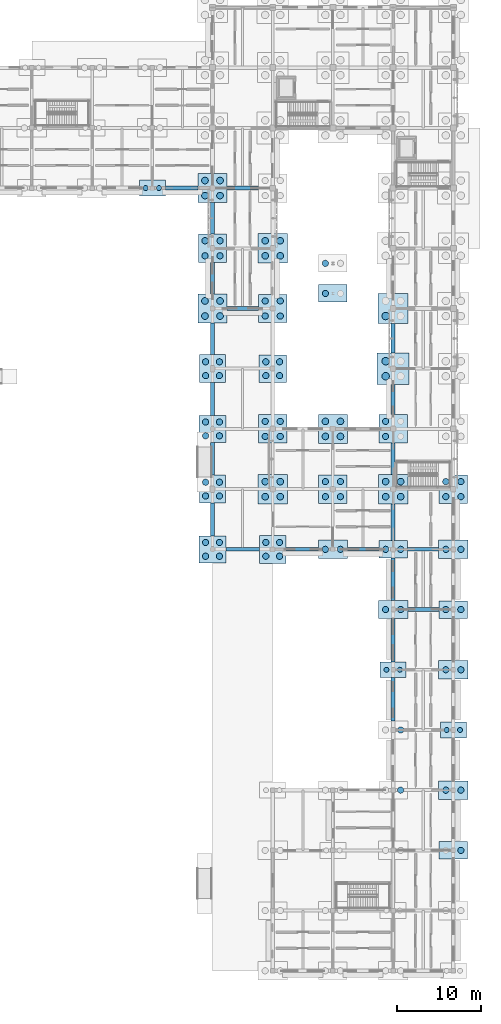
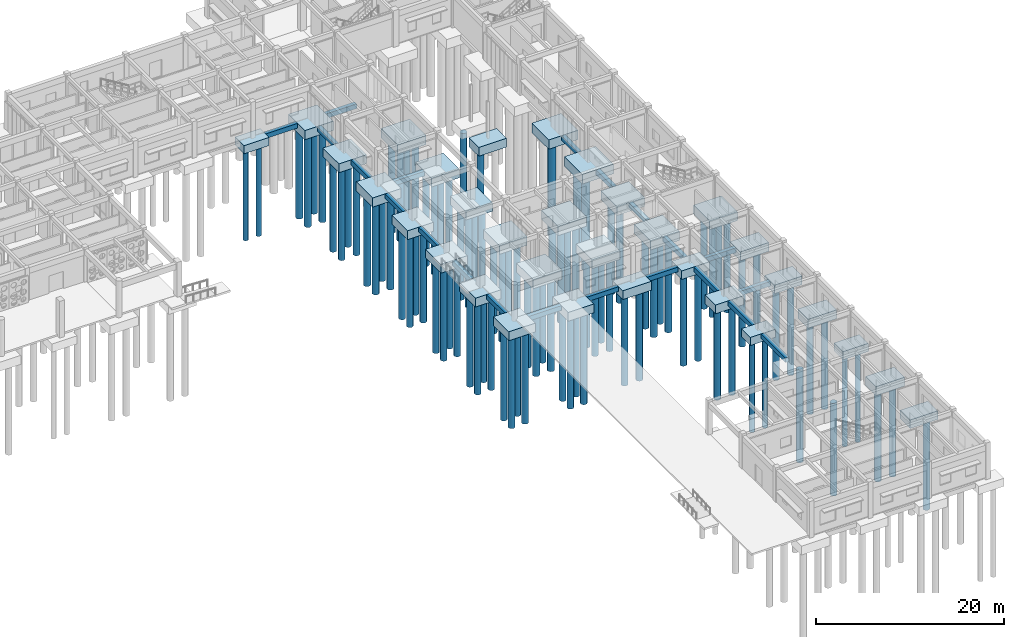
# One storey, part 5 of 111: 98 piles, 53 footings.
"""IFC4 building model written with IfcOpenShell, lengths in metres."""

import ifcopenshell
import ifcopenshell.guid

model = None  # the IFC model being written
_history = None  # IfcOwnerHistory: only IFC2X3 demands one
_inside = {}  # id of a spatial element -> (the spatial element, [elements in it])
_under = {}  # id of a project, library or spatial element -> (it, [spatial elements below it])
_declared = {}  # id of a project -> (the project, [libraries it declares])
_typed = {}  # id of a type object -> (the type object, [elements of that type])
_made_of = {}  # id of a material, layer set ... -> (it, [elements and type objects made of it])


def new_model(schema):
    """Start an empty IFC model of exactly this schema.

    Asked for "IFC4X3", IfcOpenShell would pick the latest addendum, in which some entities
    have other attributes; the version numbers below select the first issue.
    IFC2X3 requires an IfcOwnerHistory on every rooted entity: one is made here for all.
    """
    global model, _history
    if schema == "IFC4X3":
        model = ifcopenshell.file(schema_version=(4, 3, 0, 0))
    else:
        model = ifcopenshell.file(schema=schema)
    _inside.clear()
    _under.clear()
    _declared.clear()
    _typed.clear()
    _made_of.clear()
    _history = None
    if model.schema == "IFC2X3":
        org = make("IfcOrganization", Name="unknown")
        user = make(
            "IfcPersonAndOrganization",
            ThePerson=make("IfcPerson", FamilyName="unknown"),
            TheOrganization=org,
        )
        app = make(
            "IfcApplication",
            ApplicationDeveloper=org,
            Version="unknown",
            ApplicationFullName="unknown",
            ApplicationIdentifier="unknown",
        )
        _history = make(
            "IfcOwnerHistory",
            OwningUser=user,
            OwningApplication=app,
            ChangeAction="ADDED",
            CreationDate=0,
        )
    return model


def make(cls, **values):
    """One entity of the class cls with the attributes given. An attribute that is None is left unset."""
    return model.create_entity(
        cls, **{name: value for name, value in values.items() if value is not None}
    )


def rooted(cls, **values):
    """An entity with a GlobalId (a new one), such as an element, a storey or a relation."""
    return make(cls, GlobalId=ifcopenshell.guid.new(), OwnerHistory=_history, **values)


def si_unit(unit_type, name, prefix=None):
    """IfcSIUnit, for example si_unit("LENGTHUNIT", "METRE", prefix="MILLI")."""
    return make("IfcSIUnit", UnitType=unit_type, Prefix=prefix, Name=name)


def assignment(units):
    """IfcUnitAssignment: the units of a project."""
    return None if units is None else make("IfcUnitAssignment", Units=units)


def point(xyz):
    """IfcCartesianPoint."""
    return None if xyz is None else make("IfcCartesianPoint", Coordinates=xyz)


def direction(xyz):
    """IfcDirection."""
    return None if xyz is None else make("IfcDirection", DirectionRatios=xyz)


def frame(location, z_axis=None, x_axis=None):
    """IfcAxis2Placement3D, a coordinate frame: its origin and axes. An axis left out is left unset."""
    return make(
        "IfcAxis2Placement3D",
        Location=point(location),
        Axis=direction(z_axis),
        RefDirection=direction(x_axis),
    )


def frame_2d(location, x_axis=None):
    """IfcAxis2Placement2D, a coordinate frame in the plane: its origin and x axis."""
    return make(
        "IfcAxis2Placement2D", Location=point(location), RefDirection=direction(x_axis)
    )


def origin():
    """The frame at (0, 0, 0) with its axes left unset."""
    return frame((0.0, 0.0, 0.0))


def origin_2d():
    """The frame at (0, 0) in the plane with its x axis left unset."""
    return frame_2d((0.0, 0.0))


def place(relative_to, where):
    """IfcLocalPlacement: puts the frame where relative to a parent placement (None: the world)."""
    return make(
        "IfcLocalPlacement", PlacementRelTo=relative_to, RelativePlacement=where
    )


def context(
    kind, dimensions, precision=None, world=None, true_north=None, identifier=None
):
    """IfcGeometricRepresentationContext, for example the 3D "Model" context."""
    return make(
        "IfcGeometricRepresentationContext",
        ContextIdentifier=identifier,
        ContextType=kind,
        CoordinateSpaceDimension=dimensions,
        Precision=precision,
        WorldCoordinateSystem=world,
        TrueNorth=true_north,
    )


def subcontext(parent, identifier, kind, view, scale=None):
    """IfcGeometricRepresentationSubContext, for example "Body" below "Model"."""
    return make(
        "IfcGeometricRepresentationSubContext",
        ContextIdentifier=identifier,
        ContextType=kind,
        ParentContext=parent,
        TargetScale=scale,
        TargetView=view,
    )


def project(units=None, contexts=None):
    """IfcProject with its units and contexts."""
    return rooted(
        "IfcProject",
        Name="project",
        RepresentationContexts=contexts,
        UnitsInContext=assignment(units),
    )


def spatial(cls, under=None, at=None, **own):
    """A site, building, storey or space (cls), placed at a placement, below another one or the project."""
    s = rooted(cls, ObjectPlacement=at, **own)
    if under is not None:
        _under.setdefault(under.id(), (under, []))[1].append(s)
    return s


def profile(cls, at=None, kind="AREA", **sizes):
    """A parametric profile (cls). Its sizes go by their IFC names, for example OverallWidth=200.0."""
    return make(cls, ProfileType=kind, Position=at, **sizes)


def rectangle(**sizes):
    """IfcRectangleProfileDef."""
    return profile("IfcRectangleProfileDef", **sizes)


def circle(**sizes):
    """IfcCircleProfileDef."""
    return profile("IfcCircleProfileDef", **sizes)


def extrude(swept, where, along, depth):
    """IfcExtrudedAreaSolid: the profile swept, set in the frame where, extruded along a direction by depth."""
    return make(
        "IfcExtrudedAreaSolid",
        SweptArea=swept,
        Position=where,
        ExtrudedDirection=direction(along),
        Depth=depth,
    )


def shape(context_of_items, identifier, shape_type, items):
    """IfcShapeRepresentation: the items that make up one representation, for example the "Body"."""
    return make(
        "IfcShapeRepresentation",
        ContextOfItems=context_of_items,
        RepresentationIdentifier=identifier,
        RepresentationType=shape_type,
        Items=items,
    )


def material(Name=None, Category=None):
    """IfcMaterial."""
    return make("IfcMaterial", Name=Name, Category=Category)


def layer(
    of_material, thickness, ventilated=None, Name=None, Category=None, Priority=None
):
    """IfcMaterialLayer: one layer of a wall or slab, of a material (None: an air gap)."""
    return make(
        "IfcMaterialLayer",
        Material=of_material,
        LayerThickness=thickness,
        IsVentilated=ventilated,
        Name=Name,
        Category=Category,
        Priority=Priority,
    )


def layer_set(layers, Name=None):
    """IfcMaterialLayerSet."""
    return make("IfcMaterialLayerSet", MaterialLayers=layers, LayerSetName=Name)


def material_profile(
    of_material, cross_section, Name=None, Category=None, Priority=None
):
    """IfcMaterialProfile: a cross section and its material."""
    return make(
        "IfcMaterialProfile",
        Name=Name,
        Material=of_material,
        Profile=cross_section,
        Priority=Priority,
        Category=Category,
    )


def profile_set(profiles, Name=None, composite=None):
    """IfcMaterialProfileSet."""
    return make(
        "IfcMaterialProfileSet",
        Name=Name,
        MaterialProfiles=profiles,
        CompositeProfile=composite,
    )


def made_of(thing, what):
    """Note that an element or type object is made of a material, layer set ...; save() writes the relation."""
    if what is not None:
        _made_of.setdefault(what.id(), (what, []))[1].append(thing)
    return thing


def type_object(cls, material=None, **own):
    """A type object (cls), such as IfcWallType, which elements share."""
    return made_of(rooted(cls, **own), material)


def element(
    cls,
    number,
    at=None,
    inside=None,
    cuts=None,
    type_object=None,
    material=None,
    context=None,
    identifier="Body",
    shape_type=None,
    held_by="IfcProductDefinitionShape",
    body=None,
    shapes=None,
    **own,
):
    """One element of the class cls, such as IfcWall. Its Tag is "e" and its number.

    at: its placement. inside: the storey or other place that contains it. cuts: it is an
    opening in that element (IfcRelVoidsElement). A single representation is given by context,
    identifier, shape_type and body (its items); several are given by shapes. held_by: the class
    of the entity that holds the representations. save() writes the other relations.
    """
    e = rooted(cls, Tag="e%d" % number, ObjectPlacement=at, **own)
    if body is not None:
        shapes = [shape(context, identifier, shape_type, body)]
    if shapes is not None:
        e.Representation = make(held_by, Representations=shapes)
    if inside is not None:
        _inside.setdefault(inside.id(), (inside, []))[1].append(e)
    if cuts is not None:
        rooted(
            "IfcRelVoidsElement", RelatingBuildingElement=cuts, RelatedOpeningElement=e
        )
    if type_object is not None:
        _typed.setdefault(type_object.id(), (type_object, []))[1].append(e)
    return made_of(e, material)


def aggregate(whole, parts):
    """IfcRelAggregates: a whole, such as a stair, and the parts it consists of."""
    return rooted("IfcRelAggregates", RelatingObject=whole, RelatedObjects=parts)


def save(model, path):
    """Write the relations noted so far, then the file.

    IfcRelAggregates (storeys below a building ...), IfcRelContainedInSpatialStructure (elements
    in a storey), IfcRelDefinesByType, IfcRelAssociatesMaterial and IfcRelDeclares: one each for
    every whole, place, type object, material and project.
    """
    for whole, parts in _under.values():
        aggregate(whole, parts)
    for where, things in _inside.values():
        rooted(
            "IfcRelContainedInSpatialStructure",
            RelatedElements=things,
            RelatingStructure=where,
        )
    for kind, things in _typed.values():
        rooted("IfcRelDefinesByType", RelatedObjects=things, RelatingType=kind)
    for what, things in _made_of.values():
        rooted("IfcRelAssociatesMaterial", RelatedObjects=things, RelatingMaterial=what)
    for by, libraries in _declared.values():
        rooted("IfcRelDeclares", RelatingContext=by, RelatedDefinitions=libraries)
    model.write(path)


model = new_model("IFC4")

# Units and contexts
model_context = context("Model", 3, precision=1e-05, world=origin(), true_north=direction((0.0, 1.0)))
body_context = subcontext(model_context, "Body", "Model", "MODEL_VIEW")
ifc_project = project(units=[si_unit("LENGTHUNIT", "METRE"), si_unit("AREAUNIT", "SQUARE_METRE"), si_unit("VOLUMEUNIT", "CUBIC_METRE"), si_unit("PLANEANGLEUNIT", "RADIAN"), si_unit("MASSUNIT", "GRAM", prefix="KILO")], contexts=[model_context])

# Site, building, storey
site_placement = place(None, origin())
site = spatial("IfcSite", under=ifc_project, at=site_placement, CompositionType="ELEMENT")
building_placement = place(site_placement, origin())
building = spatial("IfcBuilding", under=site, at=building_placement, Name="Aldebral Square Health Centre", CompositionType="ELEMENT")
storey_placement = place(building_placement, origin())
storey = spatial("IfcBuildingStorey", under=building, at=storey_placement, Name="L00", CompositionType="ELEMENT", Elevation=0.0)

# Footings
ifc_material = material(Name="Concrete C35/45", Category="concrete")
ifc_layer_1 = layer(ifc_material, 1.14990234375, Name="Concrete C35/45", Category="concrete")
ifc_layer_set_1 = layer_set([ifc_layer_1], Name="Concrete C35/45")
footing_type_1 = type_object("IfcFootingType", Name="FT-PC2A", PredefinedType="PILE_CAP", material=ifc_layer_set_1)
for number, where, z_axis, x_axis, name in (
    (1, (151.199951171875, 50.39990234375, -1.39990234375), (0.0, 0.0, 1.0), (1.0, 0.0, 0.0), "Pile cap PC7 at 22/8"),
    (2, (158.39990234375, 43.199951171875, -1.39990234375), (0.0, 0.0, 1.0), (1.0, 0.0, 0.0), "Pile cap PC7 at 23/7"),
    (3, (165.60009765625, 21.60009765625, -1.39990234375), (0.0, 0.0, 1.0), (1.0, 0.0, 0.0), "Pile cap PC7 at 24/4"),
    (4, (165.60009765625, 36.0, -1.39990234375), (0.0, 0.0, 1.0), (1.0, 0.0, 0.0), "Pile cap PC7 at 24/6"),
    (5, (165.60009765625, 50.39990234375, -1.39990234375), (0.0, 0.0, 1.0), (1.0, 0.0, 0.0), "Pile cap PC7 at 24/8"),
):
    element("IfcFooting", number, at=place(storey_placement, frame(where, z_axis=z_axis, x_axis=x_axis)), inside=storey, type_object=footing_type_1, Name=name, PredefinedType="PILE_CAP", context=body_context, shape_type="SweptSolid", body=[
        extrude(rectangle(XDim=3.5, YDim=2.199951171875, at=origin_2d()), origin(), (0.0, 0.0, 1.0), 1.14990234375),
    ])
ifc_layer_2 = layer(ifc_material, 1.10009765625, Name="Concrete C35/45", Category="concrete")
ifc_layer_set_2 = layer_set([ifc_layer_2], Name="Concrete C35/45")
footing_type_2 = type_object("IfcFootingType", Name="FT-PC2B", PredefinedType="PILE_CAP", material=ifc_layer_set_2)
for number, where, z_axis, x_axis, name in (
    (6, (158.39990234375, 50.39990234375, -1.35009765625), (0.0, 0.0, 1.0), (1.0, 0.0, 0.0), "Pile cap PC8 at 23/8"),
    (7, (165.60009765625, 14.39990234375, -1.35009765625), (0.0, 0.0, 1.0), (1.0, 0.0, 0.0), "Pile cap PC8 at 24/3"),
    (8, (165.60009765625, 43.199951171875, -1.35009765625), (0.0, 0.0, 1.0), (1.0, 0.0, 0.0), "Pile cap PC8 at 24/7"),
):
    element("IfcFooting", number, at=place(storey_placement, frame(where, z_axis=z_axis, x_axis=x_axis)), inside=storey, type_object=footing_type_2, Name=name, PredefinedType="PILE_CAP", context=body_context, shape_type="SweptSolid", body=[
        extrude(rectangle(XDim=3.39990234375, YDim=2.10009765625, at=origin_2d()), origin(), (0.0, 0.0, 1.0), 1.10009765625),
    ])
ifc_layer_3 = layer(ifc_material, 1.050048828125, Name="Concrete C35/45", Category="concrete")
ifc_layer_set_3 = layer_set([ifc_layer_3], Name="Concrete C35/45")
footing_type_3 = type_object("IfcFootingType", Name="FT-PC2D", PredefinedType="PILE_CAP", material=ifc_layer_set_3)
for number, where, z_axis, x_axis, name in (
    (9, (129.60009765625, 93.60009765625, -1.2998046875), (0.0, 0.0, 1.0), (1.0, 0.0, 0.0), "Pile cap PC10 at 19/14"),
    (10, (158.39990234375, 36.0, -1.2998046875), (0.0, 0.0, 1.0), (1.0, 0.0, 0.0), "Pile cap PC10 at 23/6"),
    (11, (165.60009765625, 28.800048828125, -1.2998046875), (0.0, 0.0, 1.0), (1.0, 0.0, 0.0), "Pile cap PC10 at 24/5"),
):
    element("IfcFooting", number, at=place(storey_placement, frame(where, z_axis=z_axis, x_axis=x_axis)), inside=storey, type_object=footing_type_3, Name=name, PredefinedType="PILE_CAP", context=body_context, shape_type="SweptSolid", body=[
        extrude(rectangle(XDim=3.10009765625, YDim=1.89990234375, at=origin_2d()), origin(), (0.0, 0.0, 1.0), 1.050048828125),
    ])
ifc_layer_4 = layer(ifc_material, 1.14990234375, Name="Concrete C35/45", Category="concrete")
ifc_layer_set_4 = layer_set([ifc_layer_4], Name="Concrete C35/45")
footing_type_4 = type_object("IfcFootingType", Name="FT-PC2E", PredefinedType="PILE_CAP", material=ifc_layer_set_4)
footing_1_placement = place(storey_placement, frame((151.199951171875, 81.0, -1.425048828125), z_axis=(0.0, 0.0, 1.0), x_axis=(1.0, 0.0, 0.0)))
element("IfcFooting", 12, at=footing_1_placement, inside=storey, type_object=footing_type_4, Name="Bridge pier cap 21-11", PredefinedType="PILE_CAP", context=body_context, shape_type="SweptSolid", body=[
    extrude(rectangle(XDim=3.39990234375, YDim=2.10009765625, at=origin_2d()), origin(), (0.0, 0.0, 1.0), 1.14990234375),
])
ifc_layer_5 = layer(ifc_material, 1.25, Name="Concrete C35/45", Category="concrete")
ifc_layer_set_5 = layer_set([ifc_layer_5], Name="Concrete C35/45")
footing_type_5 = type_object("IfcFootingType", Name="FT-PC4A", PredefinedType="PILE_CAP", material=ifc_layer_set_5)
footing_2_placement = place(storey_placement, frame((158.39990234375, 72.0, -1.5), z_axis=(0.0, 0.0, 1.0), x_axis=(1.0, 0.0, 0.0)))
element("IfcFooting", 13, at=footing_2_placement, inside=storey, type_object=footing_type_5, Name="Pile cap PC1 at 23/11", PredefinedType="PILE_CAP", context=body_context, shape_type="SweptSolid", body=[
    extrude(rectangle(XDim=3.800048828125, YDim=3.800048828125, at=origin_2d()), origin(), (0.0, 0.0, 1.0), 1.25),
])
ifc_layer_6 = layer(ifc_material, 1.199951171875, Name="Concrete C35/45", Category="concrete")
ifc_layer_set_6 = layer_set([ifc_layer_6], Name="Concrete C35/45")
footing_type_6 = type_object("IfcFootingType", Name="FT-PC4B", PredefinedType="PILE_CAP", material=ifc_layer_set_6)
footing_3_placement = place(storey_placement, frame((158.39990234375, 79.199951171875, -1.4501953125), z_axis=(0.0, 0.0, 1.0), x_axis=(1.0, 0.0, 0.0)))
element("IfcFooting", 14, at=footing_3_placement, inside=storey, type_object=footing_type_6, Name="Pile cap PC2 at 23/12", PredefinedType="PILE_CAP", context=body_context, shape_type="SweptSolid", body=[
    extrude(rectangle(XDim=3.60009765625, YDim=3.60009765625, at=origin_2d()), origin(), (0.0, 0.0, 1.0), 1.199951171875),
])
ifc_layer_7 = layer(ifc_material, 1.199951171875, Name="Concrete C35/45", Category="concrete")
ifc_layer_set_7 = layer_set([ifc_layer_7], Name="Concrete C35/45")
footing_type_7 = type_object("IfcFootingType", Name="FT-PC4C", PredefinedType="PILE_CAP", material=ifc_layer_set_7)
for number, where, z_axis, x_axis, name in (
    (15, (136.800048828125, 79.199951171875, -1.4501953125), (0.0, 0.0, 1.0), (1.0, 0.0, 0.0), "Pile cap PC3 at 20/12"),
    (16, (136.800048828125, 93.60009765625, -1.4501953125), (0.0, 0.0, 1.0), (1.0, 0.0, 0.0), "Pile cap PC3 at 20/14"),
    (17, (144.0, 57.60009765625, -1.4501953125), (0.0, 0.0, 1.0), (1.0, 0.0, 0.0), "Pile cap PC3 at 21/9"),
    (18, (144.0, 86.39990234375, -1.4501953125), (0.0, 0.0, 1.0), (1.0, 0.0, 0.0), "Pile cap PC3 at 21/13"),
    (19, (151.199951171875, 64.800048828125, -1.4501953125), (0.0, 0.0, 1.0), (1.0, 0.0, 0.0), "Pile cap PC3 at 22/10"),
    (20, (158.39990234375, 57.60009765625, -1.4501953125), (0.0, 0.0, 1.0), (1.0, 0.0, 0.0), "Pile cap PC3 at 23/9"),
):
    element("IfcFooting", number, at=place(storey_placement, frame(where, z_axis=z_axis, x_axis=x_axis)), inside=storey, type_object=footing_type_7, Name=name, PredefinedType="PILE_CAP", context=body_context, shape_type="SweptSolid", body=[
        extrude(rectangle(XDim=3.5, YDim=3.5, at=origin_2d()), origin(), (0.0, 0.0, 1.0), 1.199951171875),
    ])
ifc_layer_8 = layer(ifc_material, 1.14990234375, Name="Concrete C35/45", Category="concrete")
ifc_layer_set_8 = layer_set([ifc_layer_8], Name="Concrete C35/45")
footing_type_8 = type_object("IfcFootingType", Name="FT-PC4D", PredefinedType="PILE_CAP", material=ifc_layer_set_8)
for number, where, z_axis, x_axis, name in (
    (21, (136.800048828125, 86.39990234375, -1.39990234375), (0.0, 0.0, 1.0), (1.0, 0.0, 0.0), "Pile cap PC4 at 20/13"),
    (22, (144.0, 64.800048828125, -1.39990234375), (0.0, 0.0, 1.0), (1.0, 0.0, 0.0), "Pile cap PC4 at 21/10"),
    (23, (144.0, 79.199951171875, -1.39990234375), (0.0, 0.0, 1.0), (1.0, 0.0, 0.0), "Pile cap PC4 at 21/12"),
    (24, (151.199951171875, 57.60009765625, -1.39990234375), (0.0, 0.0, 1.0), (1.0, 0.0, 0.0), "Pile cap PC4 at 22/9"),
    (25, (158.39990234375, 64.800048828125, -1.39990234375), (0.0, 0.0, 1.0), (1.0, 0.0, 0.0), "Pile cap PC4 at 23/10"),
    (26, (165.60009765625, 57.60009765625, -1.39990234375), (0.0, 0.0, 1.0), (1.0, 0.0, 0.0), "Pile cap PC4 at 24/9"),
):
    element("IfcFooting", number, at=place(storey_placement, frame(where, z_axis=z_axis, x_axis=x_axis)), inside=storey, type_object=footing_type_8, Name=name, PredefinedType="PILE_CAP", context=body_context, shape_type="SweptSolid", body=[
        extrude(rectangle(XDim=3.39990234375, YDim=3.39990234375, at=origin_2d()), origin(), (0.0, 0.0, 1.0), 1.14990234375),
    ])
ifc_layer_9 = layer(ifc_material, 1.14990234375, Name="Concrete C35/45", Category="concrete")
ifc_layer_set_9 = layer_set([ifc_layer_9], Name="Concrete C35/45")
footing_type_9 = type_object("IfcFootingType", Name="FT-PC4E", PredefinedType="PILE_CAP", material=ifc_layer_set_9)
for number, where, z_axis, x_axis, name in (
    (27, (136.800048828125, 50.39990234375, -1.39990234375), (0.0, 0.0, 1.0), (1.0, 0.0, 0.0), "Pile cap PC5 at 20/8"),
    (28, (136.800048828125, 64.800048828125, -1.39990234375), (0.0, 0.0, 1.0), (1.0, 0.0, 0.0), "Pile cap PC5 at 20/10"),
    (29, (144.0, 72.0, -1.39990234375), (0.0, 0.0, 1.0), (1.0, 0.0, 0.0), "Pile cap PC5 at 21/11"),
):
    element("IfcFooting", number, at=place(storey_placement, frame(where, z_axis=z_axis, x_axis=x_axis)), inside=storey, type_object=footing_type_9, Name=name, PredefinedType="PILE_CAP", context=body_context, shape_type="SweptSolid", body=[
        extrude(rectangle(XDim=3.25, YDim=3.25, at=origin_2d()), origin(), (0.0, 0.0, 1.0), 1.14990234375),
    ])
ifc_layer_10 = layer(ifc_material, 1.14990234375, Name="Concrete C35/45", Category="concrete")
ifc_layer_set_10 = layer_set([ifc_layer_10], Name="Concrete C35/45")
footing_type_10 = type_object("IfcFootingType", Name="FT-PC4F", PredefinedType="PILE_CAP", material=ifc_layer_set_10)
for number, where, z_axis, x_axis, name in (
    (30, (136.800048828125, 57.60009765625, -1.39990234375), (0.0, 0.0, 1.0), (1.0, 0.0, 0.0), "Pile cap PC6 at 20/9"),
    (31, (136.800048828125, 72.0, -1.39990234375), (0.0, 0.0, 1.0), (1.0, 0.0, 0.0), "Pile cap PC6 at 20/11"),
    (32, (144.0, 50.39990234375, -1.39990234375), (0.0, 0.0, 1.0), (1.0, 0.0, 0.0), "Pile cap PC6 at 21/8"),
):
    element("IfcFooting", number, at=place(storey_placement, frame(where, z_axis=z_axis, x_axis=x_axis)), inside=storey, type_object=footing_type_10, Name=name, PredefinedType="PILE_CAP", context=body_context, shape_type="SweptSolid", body=[
        extrude(rectangle(XDim=3.14990234375, YDim=3.35009765625, at=origin_2d()), origin(), (0.0, 0.0, 1.0), 1.14990234375),
    ])
ifc_material_profile_1 = material_profile(ifc_material, rectangle(XDim=0.449951171875, YDim=0.60009765625, at=origin_2d()), Name="RC 450x600")
ifc_profile_set_1 = profile_set([ifc_material_profile_1], Name="Concrete C35/45")
footing_type_11 = type_object("IfcFootingType", Name="FT-TB1", PredefinedType="FOOTING_BEAM", material=ifc_profile_set_1)
footing_4_placement = place(storey_placement, frame((131.14990234375, 93.60009765625, -0.550048828125), z_axis=(1.0, 0.0, 0.0), x_axis=(0.0, 1.0, 0.0)))
element("IfcFooting", 33, at=footing_4_placement, inside=storey, type_object=footing_type_11, Name="Ground tie beam X 19-14", PredefinedType="FOOTING_BEAM", context=body_context, shape_type="SweptSolid", body=[
    extrude(rectangle(XDim=0.449951171875, YDim=0.60009765625, at=origin_2d()), origin(), (0.0, 0.0, 1.0), 3.900146484375),
])
footing_5_placement = place(storey_placement, frame((138.425048828125, 50.39990234375, -0.550048828125), z_axis=(1.0, 0.0, 0.0), x_axis=(0.0, 1.0, 0.0)))
element("IfcFooting", 34, at=footing_5_placement, inside=storey, type_object=footing_type_11, Name="Ground tie beam X 20-8", PredefinedType="FOOTING_BEAM", context=body_context, shape_type="SweptSolid", body=[
    extrude(rectangle(XDim=0.449951171875, YDim=0.60009765625, at=origin_2d()), origin(), (0.0, 0.0, 1.0), 4.0),
])
for number, where, z_axis, x_axis, name in (
    (35, (136.800048828125, 52.02490234375, -0.550048828125), (0.0, 1.0, 0.0), (-1.0, 0.0, 0.0), "Ground tie beam Y 20-8"),
    (36, (136.800048828125, 59.27490234375, -0.550048828125), (0.0, 1.0, 0.0), (-1.0, 0.0, 0.0), "Ground tie beam Y 20-9"),
):
    element("IfcFooting", number, at=place(storey_placement, frame(where, z_axis=z_axis, x_axis=x_axis)), inside=storey, type_object=footing_type_11, Name=name, PredefinedType="FOOTING_BEAM", context=body_context, shape_type="SweptSolid", body=[
        extrude(rectangle(XDim=0.449951171875, YDim=0.60009765625, at=origin_2d()), origin(), (0.0, 0.0, 1.0), 3.900146484375),
    ])
footing_6_placement = place(storey_placement, frame((136.800048828125, 66.425048828125, -0.550048828125), z_axis=(0.0, 1.0, 0.0), x_axis=(-1.0, 0.0, 0.0)))
element("IfcFooting", 37, at=footing_6_placement, inside=storey, type_object=footing_type_11, Name="Ground tie beam Y 20-10", PredefinedType="FOOTING_BEAM", context=body_context, shape_type="SweptSolid", body=[
    extrude(rectangle(XDim=0.449951171875, YDim=0.60009765625, at=origin_2d()), origin(), (0.0, 0.0, 1.0), 3.89990234375),
])
footing_7_placement = place(storey_placement, frame((136.800048828125, 73.675048828125, -0.550048828125), z_axis=(0.0, 1.0, 0.0), x_axis=(-1.0, 0.0, 0.0)))
element("IfcFooting", 38, at=footing_7_placement, inside=storey, type_object=footing_type_11, Name="Ground tie beam Y 20-11", PredefinedType="FOOTING_BEAM", context=body_context, shape_type="SweptSolid", body=[
    extrude(rectangle(XDim=0.449951171875, YDim=0.60009765625, at=origin_2d()), origin(), (0.0, 0.0, 1.0), 3.77490234375),
])
for number, where, z_axis, x_axis, name in (
    (39, (138.550048828125, 79.199951171875, -0.550048828125), (1.0, 0.0, 0.0), (0.0, 1.0, 0.0), "Ground tie beam X 20-12"),
    (40, (136.800048828125, 80.949951171875, -0.550048828125), (0.0, 1.0, 0.0), (-1.0, 0.0, 0.0), "Ground tie beam Y 20-12"),
    (41, (136.800048828125, 88.10009765625, -0.550048828125), (0.0, 1.0, 0.0), (-1.0, 0.0, 0.0), "Ground tie beam Y 20-13"),
    (42, (138.550048828125, 93.60009765625, -0.550048828125), (1.0, 0.0, 0.0), (0.0, 1.0, 0.0), "Ground tie beam X 20-14"),
):
    element("IfcFooting", number, at=place(storey_placement, frame(where, z_axis=z_axis, x_axis=x_axis)), inside=storey, type_object=footing_type_11, Name=name, PredefinedType="FOOTING_BEAM", context=body_context, shape_type="SweptSolid", body=[
        extrude(rectangle(XDim=0.449951171875, YDim=0.60009765625, at=origin_2d()), origin(), (0.0, 0.0, 1.0), 3.75),
    ])
footing_8_placement = place(storey_placement, frame((145.574951171875, 50.39990234375, -0.550048828125), z_axis=(1.0, 0.0, 0.0), x_axis=(0.0, 1.0, 0.0)))
element("IfcFooting", 43, at=footing_8_placement, inside=storey, type_object=footing_type_11, Name="Ground tie beam X 21-8", PredefinedType="FOOTING_BEAM", context=body_context, shape_type="SweptSolid", body=[
    extrude(rectangle(XDim=0.449951171875, YDim=0.60009765625, at=origin_2d()), origin(), (0.0, 0.0, 1.0), 3.875),
])
footing_9_placement = place(storey_placement, frame((152.949951171875, 50.39990234375, -0.550048828125), z_axis=(1.0, 0.0, 0.0), x_axis=(0.0, 1.0, 0.0)))
element("IfcFooting", 44, at=footing_9_placement, inside=storey, type_object=footing_type_11, Name="Ground tie beam X 22-8", PredefinedType="FOOTING_BEAM", context=body_context, shape_type="SweptSolid", body=[
    extrude(rectangle(XDim=0.449951171875, YDim=0.60009765625, at=origin_2d()), origin(), (0.0, 0.0, 1.0), 3.75),
])
for number, where, z_axis, x_axis, name in (
    (45, (158.39990234375, 29.89990234375, -0.550048828125), (0.0, 1.0, 0.0), (-1.0, 0.0, 0.0), "Ground tie beam Y 23-5"),
    (46, (158.39990234375, 36.949951171875, -0.550048828125), (0.0, 1.0, 0.0), (-1.0, 0.0, 0.0), "Ground tie beam Y 23-6"),
):
    element("IfcFooting", number, at=place(storey_placement, frame(where, z_axis=z_axis, x_axis=x_axis)), inside=storey, type_object=footing_type_11, Name=name, PredefinedType="FOOTING_BEAM", context=body_context, shape_type="SweptSolid", body=[
        extrude(rectangle(XDim=0.449951171875, YDim=0.60009765625, at=origin_2d()), origin(), (0.0, 0.0, 1.0), 5.150146484375),
    ])
footing_10_placement = place(storey_placement, frame((160.14990234375, 43.199951171875, -0.550048828125), z_axis=(1.0, 0.0, 0.0), x_axis=(0.0, 1.0, 0.0)))
element("IfcFooting", 47, at=footing_10_placement, inside=storey, type_object=footing_type_11, Name="Ground tie beam X 23-7", PredefinedType="FOOTING_BEAM", context=body_context, shape_type="SweptSolid", body=[
    extrude(rectangle(XDim=0.449951171875, YDim=0.60009765625, at=origin_2d()), origin(), (0.0, 0.0, 1.0), 3.75),
])
footing_11_placement = place(storey_placement, frame((158.39990234375, 44.300048828125, -0.550048828125), z_axis=(0.0, 1.0, 0.0), x_axis=(-1.0, 0.0, 0.0)))
element("IfcFooting", 48, at=footing_11_placement, inside=storey, type_object=footing_type_11, Name="Ground tie beam Y 23-7", PredefinedType="FOOTING_BEAM", context=body_context, shape_type="SweptSolid", body=[
    extrude(rectangle(XDim=0.449951171875, YDim=0.60009765625, at=origin_2d()), origin(), (0.0, 0.0, 1.0), 5.050048828125),
])
footing_12_placement = place(storey_placement, frame((160.10009765625, 50.39990234375, -0.550048828125), z_axis=(1.0, 0.0, 0.0), x_axis=(0.0, 1.0, 0.0)))
element("IfcFooting", 49, at=footing_12_placement, inside=storey, type_object=footing_type_11, Name="Ground tie beam X 23-8", PredefinedType="FOOTING_BEAM", context=body_context, shape_type="SweptSolid", body=[
    extrude(rectangle(XDim=0.449951171875, YDim=0.60009765625, at=origin_2d()), origin(), (0.0, 0.0, 1.0), 3.75),
])
footing_13_placement = place(storey_placement, frame((158.39990234375, 51.449951171875, -0.550048828125), z_axis=(0.0, 1.0, 0.0), x_axis=(-1.0, 0.0, 0.0)))
element("IfcFooting", 50, at=footing_13_placement, inside=storey, type_object=footing_type_11, Name="Ground tie beam Y 23-8", PredefinedType="FOOTING_BEAM", context=body_context, shape_type="SweptSolid", body=[
    extrude(rectangle(XDim=0.449951171875, YDim=0.60009765625, at=origin_2d()), origin(), (0.0, 0.0, 1.0), 4.400146484375),
])
footing_14_placement = place(storey_placement, frame((158.39990234375, 59.35009765625, -0.550048828125), z_axis=(0.0, 1.0, 0.0), x_axis=(-1.0, 0.0, 0.0)))
element("IfcFooting", 51, at=footing_14_placement, inside=storey, type_object=footing_type_11, Name="Ground tie beam Y 23-9", PredefinedType="FOOTING_BEAM", context=body_context, shape_type="SweptSolid", body=[
    extrude(rectangle(XDim=0.449951171875, YDim=0.60009765625, at=origin_2d()), origin(), (0.0, 0.0, 1.0), 3.75),
])
footing_15_placement = place(storey_placement, frame((158.39990234375, 66.5, -0.550048828125), z_axis=(0.0, 1.0, 0.0), x_axis=(-1.0, 0.0, 0.0)))
element("IfcFooting", 52, at=footing_15_placement, inside=storey, type_object=footing_type_11, Name="Ground tie beam Y 23-10", PredefinedType="FOOTING_BEAM", context=body_context, shape_type="SweptSolid", body=[
    extrude(rectangle(XDim=0.449951171875, YDim=0.60009765625, at=origin_2d()), origin(), (0.0, 0.0, 1.0), 3.60009765625),
])
footing_16_placement = place(storey_placement, frame((158.39990234375, 73.89990234375, -0.550048828125), z_axis=(0.0, 1.0, 0.0), x_axis=(-1.0, 0.0, 0.0)))
element("IfcFooting", 53, at=footing_16_placement, inside=storey, type_object=footing_type_11, Name="Ground tie beam Y 23-11", PredefinedType="FOOTING_BEAM", context=body_context, shape_type="SweptSolid", body=[
    extrude(rectangle(XDim=0.449951171875, YDim=0.60009765625, at=origin_2d()), origin(), (0.0, 0.0, 1.0), 3.5),
])

# Piles
ifc_material_profile_2 = material_profile(ifc_material, circle(Radius=0.300048828125, at=origin_2d()), Name="PILE D600")
ifc_profile_set_2 = profile_set([ifc_material_profile_2], Name="Concrete C35/45")
pile_type_1 = type_object("IfcPileType", Name="PL-600", PredefinedType="BORED", material=ifc_profile_set_2)
for number, where, z_axis, x_axis, name in (
    (54, (128.800048828125, 93.60009765625, -1.199951171875), (0.0, 0.0, -1.0), (1.0, 0.0, 0.0), "Bored pile 19-14-1"),
    (55, (130.39990234375, 93.60009765625, -1.199951171875), (0.0, 0.0, -1.0), (1.0, 0.0, 0.0), "Bored pile 19-14-2"),
    (56, (157.60009765625, 36.0, -1.199951171875), (0.0, 0.0, -1.0), (1.0, 0.0, 0.0), "Bored pile 23-6-1"),
    (57, (159.199951171875, 36.0, -1.199951171875), (0.0, 0.0, -1.0), (1.0, 0.0, 0.0), "Bored pile 23-6-2"),
    (58, (164.800048828125, 28.800048828125, -1.199951171875), (0.0, 0.0, -1.0), (1.0, 0.0, 0.0), "Bored pile 24-5-1"),
    (59, (166.39990234375, 28.800048828125, -1.199951171875), (0.0, 0.0, -1.0), (1.0, 0.0, 0.0), "Bored pile 24-5-2"),
):
    element("IfcPile", number, at=place(storey_placement, frame(where, z_axis=z_axis, x_axis=x_axis)), inside=storey, type_object=pile_type_1, Name=name, PredefinedType="BORED", context=body_context, shape_type="SweptSolid", body=[
        extrude(circle(Radius=0.300048828125, at=origin_2d()), origin(), (0.0, 0.0, 1.0), 12.0),
    ])
ifc_material_profile_3 = material_profile(ifc_material, circle(Radius=0.375, at=origin_2d()), Name="PILE D750")
ifc_profile_set_3 = profile_set([ifc_material_profile_3], Name="Concrete C35/45")
pile_type_2 = type_object("IfcPileType", Name="PL-750", PredefinedType="BORED", material=ifc_profile_set_3)
for number, where, z_axis, x_axis, name in (
    (60, (135.97509765625, 49.574951171875, -1.300048828125), (0.0, 0.0, -1.0), (1.0, 0.0, 0.0), "Bored pile 20-8-1"),
    (61, (137.625, 49.574951171875, -1.300048828125), (0.0, 0.0, -1.0), (1.0, 0.0, 0.0), "Bored pile 20-8-2"),
    (62, (135.97509765625, 51.22509765625, -1.300048828125), (0.0, 0.0, -1.0), (1.0, 0.0, 0.0), "Bored pile 20-8-3"),
    (63, (137.625, 51.22509765625, -1.300048828125), (0.0, 0.0, -1.0), (1.0, 0.0, 0.0), "Bored pile 20-8-4"),
    (64, (135.97509765625, 56.77490234375, -1.300048828125), (0.0, 0.0, -1.0), (1.0, 0.0, 0.0), "Bored pile 20-9-1"),
    (65, (137.625, 56.77490234375, -1.300048828125), (0.0, 0.0, -1.0), (1.0, 0.0, 0.0), "Bored pile 20-9-2"),
    (66, (135.97509765625, 58.425048828125, -1.300048828125), (0.0, 0.0, -1.0), (1.0, 0.0, 0.0), "Bored pile 20-9-3"),
    (67, (137.625, 58.425048828125, -1.300048828125), (0.0, 0.0, -1.0), (1.0, 0.0, 0.0), "Bored pile 20-9-4"),
    (68, (135.97509765625, 63.97509765625, -1.300048828125), (0.0, 0.0, -1.0), (1.0, 0.0, 0.0), "Bored pile 20-10-1"),
    (69, (137.625, 63.97509765625, -1.300048828125), (0.0, 0.0, -1.0), (1.0, 0.0, 0.0), "Bored pile 20-10-2"),
    (70, (135.97509765625, 65.625, -1.300048828125), (0.0, 0.0, -1.0), (1.0, 0.0, 0.0), "Bored pile 20-10-3"),
    (71, (137.625, 65.625, -1.300048828125), (0.0, 0.0, -1.0), (1.0, 0.0, 0.0), "Bored pile 20-10-4"),
    (72, (135.97509765625, 71.175048828125, -1.300048828125), (0.0, 0.0, -1.0), (1.0, 0.0, 0.0), "Bored pile 20-11-1"),
    (73, (137.625, 71.175048828125, -1.300048828125), (0.0, 0.0, -1.0), (1.0, 0.0, 0.0), "Bored pile 20-11-2"),
    (74, (135.97509765625, 72.824951171875, -1.300048828125), (0.0, 0.0, -1.0), (1.0, 0.0, 0.0), "Bored pile 20-11-3"),
    (75, (137.625, 72.824951171875, -1.300048828125), (0.0, 0.0, -1.0), (1.0, 0.0, 0.0), "Bored pile 20-11-4"),
    (76, (135.89990234375, 85.5, -1.300048828125), (0.0, 0.0, -1.0), (1.0, 0.0, 0.0), "Bored pile 20-13-1"),
    (77, (137.699951171875, 85.5, -1.300048828125), (0.0, 0.0, -1.0), (1.0, 0.0, 0.0), "Bored pile 20-13-2"),
    (78, (135.89990234375, 87.300048828125, -1.300048828125), (0.0, 0.0, -1.0), (1.0, 0.0, 0.0), "Bored pile 20-13-3"),
    (79, (137.699951171875, 87.300048828125, -1.300048828125), (0.0, 0.0, -1.0), (1.0, 0.0, 0.0), "Bored pile 20-13-4"),
    (80, (143.175048828125, 49.574951171875, -1.300048828125), (0.0, 0.0, -1.0), (1.0, 0.0, 0.0), "Bored pile 21-8-1"),
    (81, (144.824951171875, 49.574951171875, -1.300048828125), (0.0, 0.0, -1.0), (1.0, 0.0, 0.0), "Bored pile 21-8-2"),
    (82, (143.175048828125, 51.22509765625, -1.300048828125), (0.0, 0.0, -1.0), (1.0, 0.0, 0.0), "Bored pile 21-8-3"),
    (83, (144.824951171875, 51.22509765625, -1.300048828125), (0.0, 0.0, -1.0), (1.0, 0.0, 0.0), "Bored pile 21-8-4"),
    (84, (143.10009765625, 63.89990234375, -1.300048828125), (0.0, 0.0, -1.0), (1.0, 0.0, 0.0), "Bored pile 21-10-1"),
    (85, (144.89990234375, 63.89990234375, -1.300048828125), (0.0, 0.0, -1.0), (1.0, 0.0, 0.0), "Bored pile 21-10-2"),
    (86, (143.10009765625, 65.699951171875, -1.300048828125), (0.0, 0.0, -1.0), (1.0, 0.0, 0.0), "Bored pile 21-10-3"),
    (87, (144.89990234375, 65.699951171875, -1.300048828125), (0.0, 0.0, -1.0), (1.0, 0.0, 0.0), "Bored pile 21-10-4"),
    (88, (143.175048828125, 71.175048828125, -1.300048828125), (0.0, 0.0, -1.0), (1.0, 0.0, 0.0), "Bored pile 21-11-1"),
    (89, (144.824951171875, 71.175048828125, -1.300048828125), (0.0, 0.0, -1.0), (1.0, 0.0, 0.0), "Bored pile 21-11-2"),
    (90, (143.175048828125, 72.824951171875, -1.300048828125), (0.0, 0.0, -1.0), (1.0, 0.0, 0.0), "Bored pile 21-11-3"),
    (91, (144.824951171875, 72.824951171875, -1.300048828125), (0.0, 0.0, -1.0), (1.0, 0.0, 0.0), "Bored pile 21-11-4"),
    (92, (143.10009765625, 78.300048828125, -1.300048828125), (0.0, 0.0, -1.0), (1.0, 0.0, 0.0), "Bored pile 21-12-1"),
    (93, (144.89990234375, 78.300048828125, -1.300048828125), (0.0, 0.0, -1.0), (1.0, 0.0, 0.0), "Bored pile 21-12-2"),
    (94, (143.10009765625, 80.10009765625, -1.300048828125), (0.0, 0.0, -1.0), (1.0, 0.0, 0.0), "Bored pile 21-12-3"),
    (95, (144.89990234375, 80.10009765625, -1.300048828125), (0.0, 0.0, -1.0), (1.0, 0.0, 0.0), "Bored pile 21-12-4"),
    (96, (150.300048828125, 50.39990234375, -1.300048828125), (0.0, 0.0, -1.0), (1.0, 0.0, 0.0), "Bored pile 22-8-1"),
    (97, (152.10009765625, 50.39990234375, -1.300048828125), (0.0, 0.0, -1.0), (1.0, 0.0, 0.0), "Bored pile 22-8-2"),
    (98, (150.300048828125, 56.699951171875, -1.300048828125), (0.0, 0.0, -1.0), (1.0, 0.0, 0.0), "Bored pile 22-9-1"),
    (99, (152.10009765625, 56.699951171875, -1.300048828125), (0.0, 0.0, -1.0), (1.0, 0.0, 0.0), "Bored pile 22-9-2"),
    (100, (150.300048828125, 58.5, -1.300048828125), (0.0, 0.0, -1.0), (1.0, 0.0, 0.0), "Bored pile 22-9-3"),
    (101, (152.10009765625, 58.5, -1.300048828125), (0.0, 0.0, -1.0), (1.0, 0.0, 0.0), "Bored pile 22-9-4"),
    (102, (159.300048828125, 21.60009765625, -1.25), (0.0, 0.0, -1.0), (1.0, 0.0, 0.0), "Bored pile 23-4-2"),
    (103, (159.300048828125, 28.800048828125, -1.300048828125), (0.0, 0.0, -1.0), (1.0, 0.0, 0.0), "Bored pile 23-5-2"),
    (104, (157.5, 43.199951171875, -1.300048828125), (0.0, 0.0, -1.0), (1.0, 0.0, 0.0), "Bored pile 23-7-1"),
    (105, (159.300048828125, 43.199951171875, -1.300048828125), (0.0, 0.0, -1.0), (1.0, 0.0, 0.0), "Bored pile 23-7-2"),
    (106, (157.5, 50.39990234375, -1.25), (0.0, 0.0, -1.0), (1.0, 0.0, 0.0), "Bored pile 23-8-1"),
    (107, (159.300048828125, 50.39990234375, -1.25), (0.0, 0.0, -1.0), (1.0, 0.0, 0.0), "Bored pile 23-8-2"),
    (108, (157.5, 63.89990234375, -1.300048828125), (0.0, 0.0, -1.0), (1.0, 0.0, 0.0), "Bored pile 23-10-1"),
    (109, (157.5, 65.699951171875, -1.300048828125), (0.0, 0.0, -1.0), (1.0, 0.0, 0.0), "Bored pile 23-10-3"),
    (110, (166.5, 14.39990234375, -1.25), (0.0, 0.0, -1.0), (1.0, 0.0, 0.0), "Bored pile 24-3-2"),
    (111, (164.699951171875, 21.60009765625, -1.300048828125), (0.0, 0.0, -1.0), (1.0, 0.0, 0.0), "Bored pile 24-4-1"),
    (112, (166.5, 21.60009765625, -1.300048828125), (0.0, 0.0, -1.0), (1.0, 0.0, 0.0), "Bored pile 24-4-2"),
    (113, (164.699951171875, 36.0, -1.300048828125), (0.0, 0.0, -1.0), (1.0, 0.0, 0.0), "Bored pile 24-6-1"),
    (114, (166.5, 36.0, -1.300048828125), (0.0, 0.0, -1.0), (1.0, 0.0, 0.0), "Bored pile 24-6-2"),
    (115, (164.699951171875, 43.199951171875, -1.25), (0.0, 0.0, -1.0), (1.0, 0.0, 0.0), "Bored pile 24-7-1"),
    (116, (166.5, 43.199951171875, -1.25), (0.0, 0.0, -1.0), (1.0, 0.0, 0.0), "Bored pile 24-7-2"),
    (117, (164.699951171875, 50.39990234375, -1.300048828125), (0.0, 0.0, -1.0), (1.0, 0.0, 0.0), "Bored pile 24-8-1"),
    (118, (166.5, 50.39990234375, -1.300048828125), (0.0, 0.0, -1.0), (1.0, 0.0, 0.0), "Bored pile 24-8-2"),
    (119, (164.699951171875, 56.699951171875, -1.300048828125), (0.0, 0.0, -1.0), (1.0, 0.0, 0.0), "Bored pile 24-9-1"),
    (120, (166.5, 56.699951171875, -1.300048828125), (0.0, 0.0, -1.0), (1.0, 0.0, 0.0), "Bored pile 24-9-2"),
    (121, (164.699951171875, 58.5, -1.300048828125), (0.0, 0.0, -1.0), (1.0, 0.0, 0.0), "Bored pile 24-9-3"),
    (122, (166.5, 58.5, -1.300048828125), (0.0, 0.0, -1.0), (1.0, 0.0, 0.0), "Bored pile 24-9-4"),
    (123, (150.300048828125, 81.0, -1.324951171875), (0.0, 0.0, -1.0), (1.0, 0.0, 0.0), "Bridge bored pile 21-11-1"),
    (124, (150.300048828125, 84.60009765625, -1.324951171875), (0.0, 0.0, -1.0), (1.0, 0.0, 0.0), "Bridge bored pile 21-12-1"),
):
    element("IfcPile", number, at=place(storey_placement, frame(where, z_axis=z_axis, x_axis=x_axis)), inside=storey, type_object=pile_type_2, Name=name, PredefinedType="BORED", context=body_context, shape_type="SweptSolid", body=[
        extrude(circle(Radius=0.375, at=origin_2d()), origin(), (0.0, 0.0, 1.0), 12.0),
    ])
ifc_material_profile_4 = material_profile(ifc_material, circle(Radius=0.39990234375, at=origin_2d()), Name="PILE D800")
ifc_profile_set_4 = profile_set([ifc_material_profile_4], Name="Concrete C35/45")
pile_type_3 = type_object("IfcPileType", Name="PL-800", PredefinedType="BORED", material=ifc_profile_set_4)
for number, where, z_axis, x_axis, name in (
    (125, (135.89990234375, 78.300048828125, -1.35009765625), (0.0, 0.0, -1.0), (1.0, 0.0, 0.0), "Bored pile 20-12-1"),
    (126, (137.699951171875, 78.300048828125, -1.35009765625), (0.0, 0.0, -1.0), (1.0, 0.0, 0.0), "Bored pile 20-12-2"),
    (127, (135.89990234375, 80.10009765625, -1.35009765625), (0.0, 0.0, -1.0), (1.0, 0.0, 0.0), "Bored pile 20-12-3"),
    (128, (137.699951171875, 80.10009765625, -1.35009765625), (0.0, 0.0, -1.0), (1.0, 0.0, 0.0), "Bored pile 20-12-4"),
    (129, (135.89990234375, 92.699951171875, -1.35009765625), (0.0, 0.0, -1.0), (1.0, 0.0, 0.0), "Bored pile 20-14-1"),
    (130, (137.699951171875, 92.699951171875, -1.35009765625), (0.0, 0.0, -1.0), (1.0, 0.0, 0.0), "Bored pile 20-14-2"),
    (131, (135.89990234375, 94.5, -1.35009765625), (0.0, 0.0, -1.0), (1.0, 0.0, 0.0), "Bored pile 20-14-3"),
    (132, (137.699951171875, 94.5, -1.35009765625), (0.0, 0.0, -1.0), (1.0, 0.0, 0.0), "Bored pile 20-14-4"),
    (133, (143.10009765625, 56.699951171875, -1.35009765625), (0.0, 0.0, -1.0), (1.0, 0.0, 0.0), "Bored pile 21-9-1"),
    (134, (144.89990234375, 56.699951171875, -1.35009765625), (0.0, 0.0, -1.0), (1.0, 0.0, 0.0), "Bored pile 21-9-2"),
    (135, (143.10009765625, 58.5, -1.35009765625), (0.0, 0.0, -1.0), (1.0, 0.0, 0.0), "Bored pile 21-9-3"),
    (136, (144.89990234375, 58.5, -1.35009765625), (0.0, 0.0, -1.0), (1.0, 0.0, 0.0), "Bored pile 21-9-4"),
    (137, (143.10009765625, 85.5, -1.35009765625), (0.0, 0.0, -1.0), (1.0, 0.0, 0.0), "Bored pile 21-13-1"),
    (138, (144.89990234375, 85.5, -1.35009765625), (0.0, 0.0, -1.0), (1.0, 0.0, 0.0), "Bored pile 21-13-2"),
    (139, (143.10009765625, 87.300048828125, -1.35009765625), (0.0, 0.0, -1.0), (1.0, 0.0, 0.0), "Bored pile 21-13-3"),
    (140, (144.89990234375, 87.300048828125, -1.35009765625), (0.0, 0.0, -1.0), (1.0, 0.0, 0.0), "Bored pile 21-13-4"),
    (141, (150.300048828125, 63.89990234375, -1.35009765625), (0.0, 0.0, -1.0), (1.0, 0.0, 0.0), "Bored pile 22-10-1"),
    (142, (152.10009765625, 63.89990234375, -1.35009765625), (0.0, 0.0, -1.0), (1.0, 0.0, 0.0), "Bored pile 22-10-2"),
    (143, (150.300048828125, 65.699951171875, -1.35009765625), (0.0, 0.0, -1.0), (1.0, 0.0, 0.0), "Bored pile 22-10-3"),
    (144, (152.10009765625, 65.699951171875, -1.35009765625), (0.0, 0.0, -1.0), (1.0, 0.0, 0.0), "Bored pile 22-10-4"),
    (145, (157.5, 56.699951171875, -1.35009765625), (0.0, 0.0, -1.0), (1.0, 0.0, 0.0), "Bored pile 23-9-1"),
    (146, (159.300048828125, 56.699951171875, -1.35009765625), (0.0, 0.0, -1.0), (1.0, 0.0, 0.0), "Bored pile 23-9-2"),
    (147, (157.5, 58.5, -1.35009765625), (0.0, 0.0, -1.0), (1.0, 0.0, 0.0), "Bored pile 23-9-3"),
    (148, (159.300048828125, 58.5, -1.35009765625), (0.0, 0.0, -1.0), (1.0, 0.0, 0.0), "Bored pile 23-9-4"),
):
    element("IfcPile", number, at=place(storey_placement, frame(where, z_axis=z_axis, x_axis=x_axis)), inside=storey, type_object=pile_type_3, Name=name, PredefinedType="BORED", context=body_context, shape_type="SweptSolid", body=[
        extrude(circle(Radius=0.39990234375, at=origin_2d()), origin(), (0.0, 0.0, 1.0), 12.0),
    ])
ifc_material_profile_5 = material_profile(ifc_material, circle(Radius=0.449951171875, at=origin_2d()), Name="PILE D900")
ifc_profile_set_5 = profile_set([ifc_material_profile_5], Name="Concrete C35/45")
pile_type_4 = type_object("IfcPileType", Name="PL-900", PredefinedType="BORED", material=ifc_profile_set_5)
for number, where, z_axis, x_axis, name in (
    (149, (157.5, 71.10009765625, -1.39990234375), (0.0, 0.0, -1.0), (1.0, 0.0, 0.0), "Bored pile 23-11-1"),
    (150, (157.5, 72.89990234375, -1.39990234375), (0.0, 0.0, -1.0), (1.0, 0.0, 0.0), "Bored pile 23-11-3"),
    (151, (157.5, 78.300048828125, -1.35009765625), (0.0, 0.0, -1.0), (1.0, 0.0, 0.0), "Bored pile 23-12-1"),
):
    element("IfcPile", number, at=place(storey_placement, frame(where, z_axis=z_axis, x_axis=x_axis)), inside=storey, type_object=pile_type_4, Name=name, PredefinedType="BORED", context=body_context, shape_type="SweptSolid", body=[
        extrude(circle(Radius=0.449951171875, at=origin_2d()), origin(), (0.0, 0.0, 1.0), 12.0),
    ])

save(model, "model.ifc")
